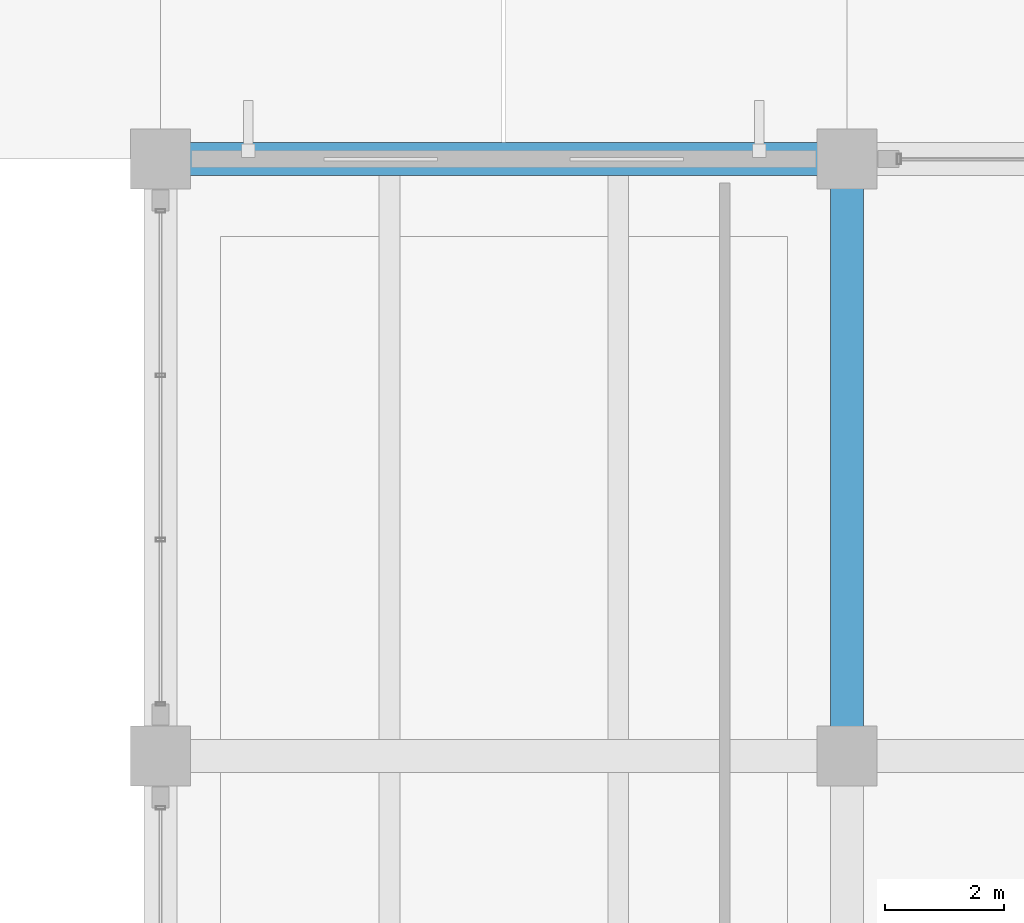
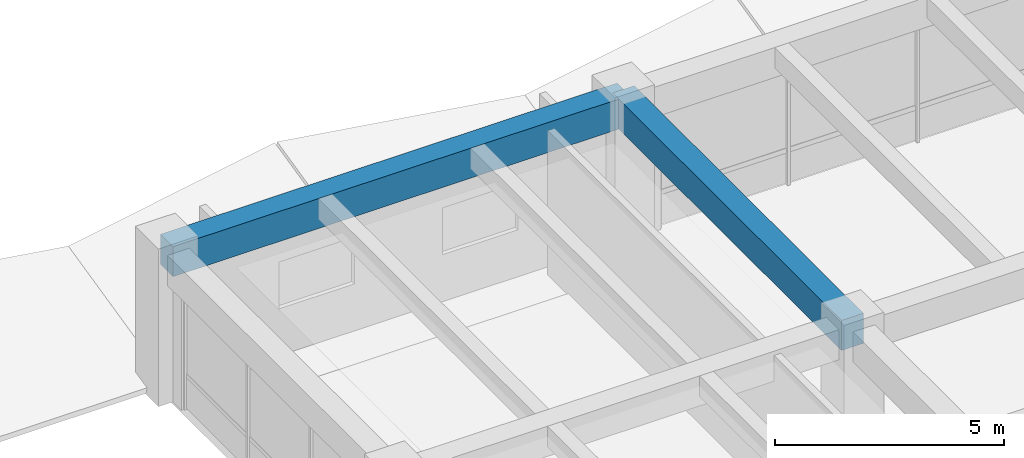
# One storey, part 43 of 98: 2 beams.
"""IFC4 building model written with IfcOpenShell, lengths in metres."""

from ifc_helpers import new_model, si_unit, direction, frame, origin, origin_2d, place, context, subcontext, project, spatial, rectangle, extrude, material, material_profile, profile_set, type_object, element, save


model = new_model("IFC4")

# Units and contexts
model_context = context("Model", 3, precision=1e-05, world=origin(), true_north=direction((0.0, 1.0)))
body_context = subcontext(model_context, "Body", "Model", "MODEL_VIEW")
ifc_project = project(units=[si_unit("LENGTHUNIT", "METRE"), si_unit("AREAUNIT", "SQUARE_METRE"), si_unit("VOLUMEUNIT", "CUBIC_METRE"), si_unit("PLANEANGLEUNIT", "RADIAN"), si_unit("MASSUNIT", "GRAM", prefix="KILO")], contexts=[model_context])

# Site, building, storey
site_placement = place(None, origin())
site = spatial("IfcSite", under=ifc_project, at=site_placement, CompositionType="ELEMENT")
building_placement = place(site_placement, origin())
building = spatial("IfcBuilding", under=site, at=building_placement, Name="Ologun Quay Terminus", CompositionType="ELEMENT")
storey_placement = place(building_placement, frame((0.0, 0.0, 4.199951171875)))
storey = spatial("IfcBuildingStorey", under=building, at=storey_placement, Name="L01", CompositionType="ELEMENT", Elevation=4.199951171875)

# Beams
ifc_material = material(Name="Concrete C40/50", Category="concrete")
ifc_material_profile = material_profile(ifc_material, rectangle(XDim=0.550048828125, YDim=0.800048828125, at=origin_2d()), Name="RC 550x800")
ifc_profile_set = profile_set([ifc_material_profile], Name="Concrete C40/50")
beam_type = type_object("IfcBeamType", Name="Courtyard Wing Primary Girder 550x800", PredefinedType="BEAM", material=ifc_profile_set)
beam_1_placement = place(storey_placement, frame((115.0, 114.800048828125, 3.550048828125), z_axis=(1.0, 0.0, 0.0), x_axis=(0.0, 1.0, 0.0)))
element("IfcBeam", 1, at=beam_1_placement, inside=storey, type_object=beam_type, Name="B4 Beam 11/K L01", PredefinedType="BEAM", context=body_context, shape_type="SweptSolid", body=[
    extrude(rectangle(XDim=0.550048828125, YDim=0.800048828125, at=origin_2d()), origin(), (0.0, 0.0, 1.0), 11.5),
])
beam_2_placement = place(storey_placement, frame((126.5, 104.800048828125, 3.550048828125), z_axis=(0.0, 1.0, 0.0), x_axis=(-1.0, 0.0, 0.0)))
element("IfcBeam", 2, at=beam_2_placement, inside=storey, type_object=beam_type, Name="B4 Beam 12/J L01", PredefinedType="BEAM", context=body_context, shape_type="SweptSolid", body=[
    extrude(rectangle(XDim=0.550048828125, YDim=0.800048828125, at=origin_2d()), origin(), (0.0, 0.0, 1.0), 10.0),
])

save(model, "model.ifc")
